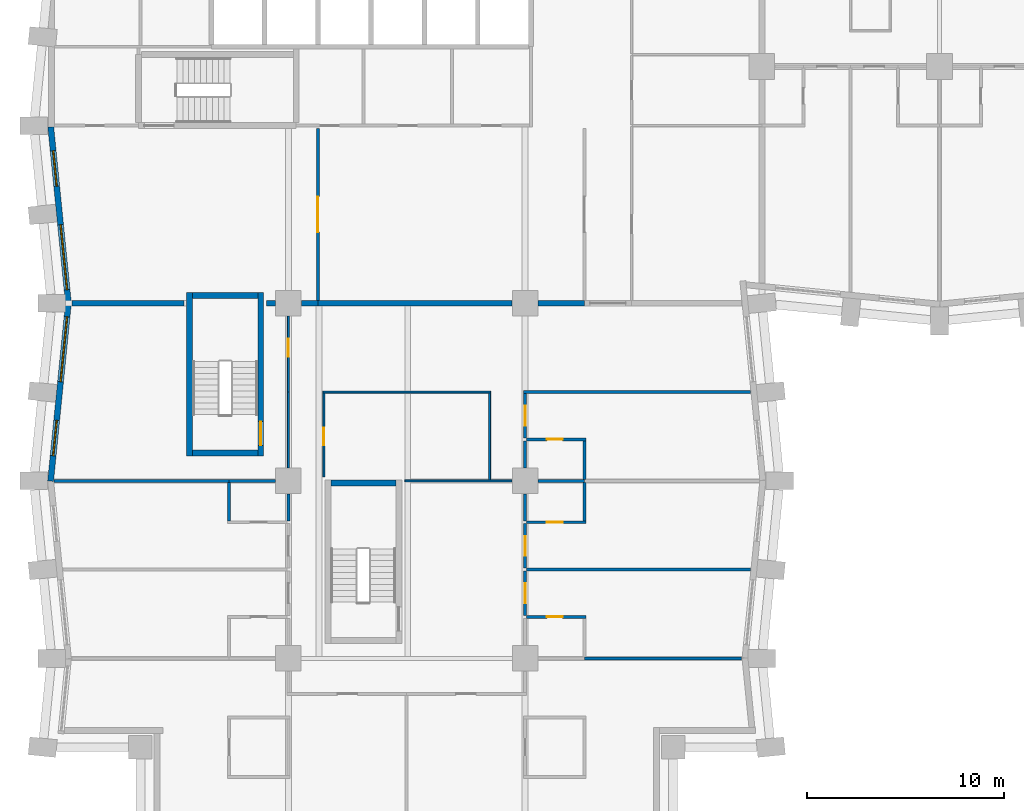
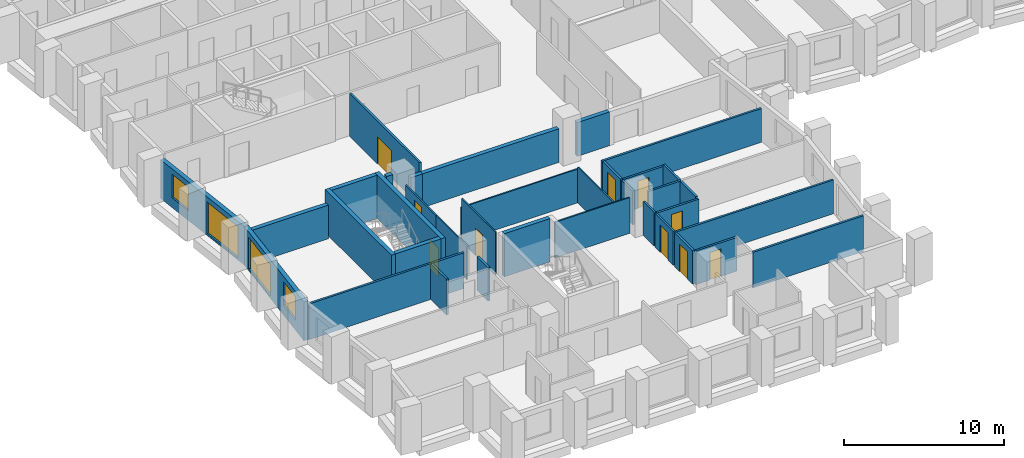
# One storey, part 4 of 13: 37 walls, 10 doors, 4 windows, 14 openings.
"""IFC4 building model written with IfcOpenShell, lengths in metres."""

from ifc_helpers import new_model, si_unit, direction, frame, frame_2d, origin, place, context, subcontext, project, spatial, rectangle, extrude, material, layer, layer_set, type_object, element, fill, save


model = new_model("IFC4")

# Units and contexts
model_context = context("Model", 3, precision=1e-05, world=origin(), true_north=direction((0.0, 1.0)))
body_context = subcontext(model_context, "Body", "Model", "MODEL_VIEW")
ifc_project = project(units=[si_unit("LENGTHUNIT", "METRE"), si_unit("AREAUNIT", "SQUARE_METRE"), si_unit("VOLUMEUNIT", "CUBIC_METRE"), si_unit("PLANEANGLEUNIT", "RADIAN"), si_unit("MASSUNIT", "GRAM", prefix="KILO")], contexts=[model_context])

# Site, building, storey
site_placement = place(None, origin())
site = spatial("IfcSite", under=ifc_project, at=site_placement, CompositionType="ELEMENT")
building_placement = place(site_placement, origin())
building = spatial("IfcBuilding", under=site, at=building_placement, Name="Brondeck Convention Tower", CompositionType="ELEMENT")
storey_placement = place(building_placement, frame((0.0, 0.0, 41.10009765625)))
storey = spatial("IfcBuildingStorey", under=building, at=storey_placement, Name="L07", CompositionType="ELEMENT", Elevation=41.10009765625)

# Walls
ifc_material_1 = material(Name="Concrete compartment wall C30/37", Category="concrete")
ifc_layer_1 = layer(ifc_material_1, 0.300048828125)
ifc_layer_set_1 = layer_set([ifc_layer_1], Name="Compartment wall 300")
wall_type_1 = type_object("IfcWallType", Name="Compartment wall 300", PredefinedType="PARTITIONING", material=ifc_layer_set_1)
wall_1_placement = place(storey_placement, frame((6.699951171875, 27.0, 0.0), z_axis=(0.0, 0.0, 1.0), x_axis=(-1.0, 0.0, 0.0)))
element("IfcWall", 1, at=wall_1_placement, inside=storey, type_object=wall_type_1, Name="FLR-L07-W051", PredefinedType="PARTITIONING", context=body_context, shape_type="SweptSolid", body=[
    extrude(rectangle(XDim=5.675048828125, YDim=0.300048828125, at=frame_2d((2.83740234375, 0.0))), origin(), (0.0, 0.0, 1.0), 2.579833984375),
])
wall_2_placement = place(storey_placement, frame((11.344970703125, 27.0, 0.0), z_axis=(0.0, 0.0, 1.0), x_axis=(-1.0, 0.0, 0.0)))
element("IfcWall", 2, at=wall_2_placement, inside=storey, type_object=wall_type_1, Name="FLR-L07-W052", PredefinedType="PARTITIONING", context=body_context, shape_type="SweptSolid", body=[
    extrude(rectangle(XDim=0.445068359375, YDim=0.300048828125, at=frame_2d((0.22265625, 0.0))), origin(), (0.0, 0.0, 1.0), 3.27978515625),
])
wall_3_placement = place(storey_placement, frame((13.5, 27.0, 0.0), z_axis=(0.0, 0.0, 1.0), x_axis=(-1.0, 0.0, 0.0)))
element("IfcWall", 3, at=wall_3_placement, inside=storey, type_object=wall_type_1, Name="FLR-L07-W053", PredefinedType="PARTITIONING", context=body_context, shape_type="SweptSolid", body=[
    extrude(rectangle(XDim=0.844970703125, YDim=0.300048828125, at=frame_2d((0.42236328125, 0.0))), origin(), (0.0, 0.0, 1.0), 2.579833984375),
])
wall_4_placement = place(storey_placement, frame((23.344970703125, 27.0, 0.0), z_axis=(0.0, 0.0, 1.0), x_axis=(-1.0, 0.0, 0.0)))
element("IfcWall", 4, at=wall_4_placement, inside=storey, type_object=wall_type_1, Name="FLR-L07-W054", PredefinedType="PARTITIONING", context=body_context, shape_type="SweptSolid", body=[
    extrude(rectangle(XDim=9.844970703125, YDim=0.300048828125, at=frame_2d((4.92236328125, 0.0))), origin(), (0.0, 0.0, 1.0), 2.579833984375),
])
wall_5_placement = place(storey_placement, frame((27.0, 27.0, 0.0), z_axis=(0.0, 0.0, 1.0), x_axis=(-1.0, 0.0, 0.0)))
element("IfcWall", 5, at=wall_5_placement, inside=storey, type_object=wall_type_1, Name="FLR-L07-W055", PredefinedType="PARTITIONING", context=body_context, shape_type="SweptSolid", body=[
    extrude(rectangle(XDim=2.344970703125, YDim=0.300048828125, at=frame_2d((1.17236328125, 0.0))), origin(), (0.0, 0.0, 1.0), 2.579833984375),
])

# Wall, openings, windows
ifc_material_2 = material(Name="Precast concrete C50/60 bronze finish", Category="concrete")
ifc_layer_2 = layer(ifc_material_2, 0.070068359375, Name="Bronze precast facing")
ifc_material_3 = material(Name="Mineral wool")
ifc_layer_3 = layer(ifc_material_3, 0.159912109375, Name="Insulation")
ifc_material_4 = material(Name="Concrete C35/45", Category="concrete")
ifc_layer_4 = layer(ifc_material_4, 0.070068359375, Name="Backing")
ifc_layer_set_2 = layer_set([ifc_layer_2, ifc_layer_3, ifc_layer_4], Name="External infill wall, precast concrete C50/60 bronze facing")
wall_type_2 = type_object("IfcWallType", Name="External infill wall, precast concrete C50/60 bronze facing", PredefinedType="SOLIDWALL", material=ifc_layer_set_2)
wall_6_placement = place(storey_placement, frame((0.855712890625, 26.985107421875, 0.0), z_axis=(0.0, 0.0, 1.0), x_axis=(-0.099503719021, 0.99503719021, 0.0)))
wall_6 = element("IfcWall", 6, at=wall_6_placement, inside=storey, type_object=wall_type_2, Name="ENV-EW-L07-P0-B-W-06", PredefinedType="SOLIDWALL", context=body_context, shape_type="SweptSolid", body=[
    extrude(rectangle(XDim=8.994873046875, YDim=0.300048828125, at=frame_2d((4.49755859375, 0.0))), origin(), (0.0, 0.0, 1.0), 2.949951171875),
])
opening_1_placement = place(wall_6_placement, frame((0.711181640625, 0.0, 0.14990234375)))
opening_1 = element("IfcOpeningElement", 7, at=opening_1_placement, cuts=wall_6, Name="Opening W9", PredefinedType="OPENING", context=body_context, shape_type="SweptSolid", body=[
    extrude(rectangle(XDim=3.300048828125, YDim=2.39990234375, at=frame_2d((1.64990234375, 1.199951171875))), frame((0.0, 0.159912109375, 0.0), z_axis=(0.0, -1.0, 0.0), x_axis=(1.0, 0.0, 0.0)), (0.0, 0.0, 1.0), 0.320068359375),
])
opening_2_placement = place(wall_6_placement, frame((5.983642578125, 0.0, 0.75)))
opening_2 = element("IfcOpeningElement", 8, at=opening_2_placement, cuts=wall_6, Name="Opening W10", PredefinedType="OPENING", context=body_context, shape_type="SweptSolid", body=[
    extrude(rectangle(XDim=1.800048828125, YDim=1.800048828125, at=frame_2d((0.89990234375, 0.89990234375))), frame((0.0, 0.159912109375, 0.0), z_axis=(0.0, -1.0, 0.0), x_axis=(1.0, 0.0, 0.0)), (0.0, 0.0, 1.0), 0.320068359375),
])
ifc_material_5 = material(Name="Bronze tinted double glazing", Category="glass")
window_type_1 = type_object("IfcWindowType", Name="Glazed flute window, bronze tinted", PartitioningType="SINGLE_PANEL", PredefinedType="WINDOW", material=ifc_material_5)
window_1_placement = place(opening_1_placement, origin())
window_1 = element("IfcWindow", 9, at=window_1_placement, inside=storey, type_object=window_type_1, Name="ENV-WN-L07-P0-B-W-07", OverallHeight=2.39990234375, OverallWidth=3.300048828125, PartitioningType="SINGLE_PANEL", PredefinedType="WINDOW", context=body_context, shape_type="SweptSolid", body=[
    extrude(rectangle(XDim=3.300048828125, YDim=2.39990234375, at=frame_2d((1.64990234375, 1.199951171875))), frame((0.0, 0.030029296875, 0.0), z_axis=(0.0, -1.0, 0.0), x_axis=(1.0, 0.0, 0.0)), (0.0, 0.0, 1.0), 0.06005859375),
])
fill(opening_1, window_1)
window_type_2 = type_object("IfcWindowType", Name="Punched window, bronze tinted", PartitioningType="SINGLE_PANEL", PredefinedType="WINDOW", material=ifc_material_5)
window_2_placement = place(opening_2_placement, origin())
window_2 = element("IfcWindow", 10, at=window_2_placement, inside=storey, type_object=window_type_2, Name="ENV-WN-L07-P0-B-W-06", OverallHeight=1.800048828125, OverallWidth=1.800048828125, PartitioningType="SINGLE_PANEL", PredefinedType="WINDOW", context=body_context, shape_type="SweptSolid", body=[
    extrude(rectangle(XDim=1.800048828125, YDim=1.800048828125, at=frame_2d((0.89990234375, 0.89990234375))), frame((0.0, 0.030029296875, 0.0), z_axis=(0.0, -1.0, 0.0), x_axis=(1.0, 0.0, 0.0)), (0.0, 0.0, 1.0), 0.06005859375),
])
fill(opening_2, window_2)

wall_7_placement = place(storey_placement, frame((-0.04736328125, 17.985107421875, 0.0), z_axis=(0.0, 0.0, 1.0), x_axis=(0.099522457379, 0.995035316196, 0.0)))
wall_7 = element("IfcWall", 11, at=wall_7_placement, inside=storey, type_object=wall_type_2, Name="ENV-EW-L07-P0-B-W-08", PredefinedType="SOLIDWALL", context=body_context, shape_type="SweptSolid", body=[
    extrude(rectangle(XDim=9.030029296875, YDim=0.300048828125, at=frame_2d((4.51513671875, 0.0))), origin(), (0.0, 0.0, 1.0), 2.949951171875),
])
opening_3_placement = place(wall_7_placement, frame((1.291259765625, 0.0, 0.75)))
opening_3 = element("IfcOpeningElement", 12, at=opening_3_placement, cuts=wall_7, Name="Opening W10", PredefinedType="OPENING", context=body_context, shape_type="SweptSolid", body=[
    extrude(rectangle(XDim=1.800048828125, YDim=1.800048828125, at=frame_2d((0.89990234375, 0.89990234375))), frame((0.0, 0.159912109375, 0.0), z_axis=(0.0, -1.0, 0.0), x_axis=(1.0, 0.0, 0.0)), (0.0, 0.0, 1.0), 0.320068359375),
])
opening_4_placement = place(wall_7_placement, frame((5.063720703125, 0.0, 0.14990234375)))
opening_4 = element("IfcOpeningElement", 13, at=opening_4_placement, cuts=wall_7, Name="Opening W9", PredefinedType="OPENING", context=body_context, shape_type="SweptSolid", body=[
    extrude(rectangle(XDim=3.300048828125, YDim=2.39990234375, at=frame_2d((1.64990234375, 1.199951171875))), frame((0.0, 0.159912109375, 0.0), z_axis=(0.0, -1.0, 0.0), x_axis=(1.0, 0.0, 0.0)), (0.0, 0.0, 1.0), 0.320068359375),
])
window_3_placement = place(opening_4_placement, origin())
window_3 = element("IfcWindow", 14, at=window_3_placement, inside=storey, type_object=window_type_1, Name="ENV-WN-L07-P0-B-W-08", OverallHeight=2.39990234375, OverallWidth=3.300048828125, PartitioningType="SINGLE_PANEL", PredefinedType="WINDOW", context=body_context, shape_type="SweptSolid", body=[
    extrude(rectangle(XDim=3.300048828125, YDim=2.39990234375, at=frame_2d((1.64990234375, 1.199951171875))), frame((0.0, 0.030029296875, 0.0), z_axis=(0.0, -1.0, 0.0), x_axis=(1.0, 0.0, 0.0)), (0.0, 0.0, 1.0), 0.06005859375),
])
fill(opening_4, window_3)
window_4_placement = place(opening_3_placement, origin())
window_4 = element("IfcWindow", 15, at=window_4_placement, inside=storey, type_object=window_type_2, Name="ENV-WN-L07-P0-B-W-09", OverallHeight=1.800048828125, OverallWidth=1.800048828125, PartitioningType="SINGLE_PANEL", PredefinedType="WINDOW", context=body_context, shape_type="SweptSolid", body=[
    extrude(rectangle(XDim=1.800048828125, YDim=1.800048828125, at=frame_2d((0.89990234375, 0.89990234375))), frame((0.0, 0.030029296875, 0.0), z_axis=(0.0, -1.0, 0.0), x_axis=(1.0, 0.0, 0.0)), (0.0, 0.0, 1.0), 0.06005859375),
])
fill(opening_3, window_4)

# Wall
ifc_material_6 = material(Name="Double gypsum board acoustic wall")
ifc_layer_5 = layer(ifc_material_6, 0.14990234375)
ifc_layer_set_3 = layer_set([ifc_layer_5], Name="Guest room party wall 150")
wall_type_3 = type_object("IfcWallType", Name="Guest room party wall 150", PredefinedType="PARTITIONING", material=ifc_layer_set_3)
wall_8_placement = place(storey_placement, frame((34.97509765625, 9.0, 0.0), z_axis=(0.0, 0.0, 1.0), x_axis=(-1.0, 0.0, 0.0)))
element("IfcWall", 16, at=wall_8_placement, inside=storey, type_object=wall_type_3, Name="FLR-L07-W017", PredefinedType="PARTITIONING", context=body_context, shape_type="SweptSolid", body=[
    extrude(rectangle(XDim=7.97509765625, YDim=0.14990234375, at=frame_2d((3.987548828125, 0.0))), origin(), (0.0, 0.0, 1.0), 2.72998046875),
])

# Wall, opening, door
wall_9_placement = place(storey_placement, frame((27.074951171875, 11.10009765625, 0.0), z_axis=(0.0, 0.0, 1.0), x_axis=(-1.0, 0.0, 0.0)))
wall_9 = element("IfcWall", 17, at=wall_9_placement, inside=storey, type_object=wall_type_3, Name="FLR-L07-W023", PredefinedType="PARTITIONING", context=body_context, shape_type="SweptSolid", body=[
    extrude(rectangle(XDim=3.0, YDim=0.14990234375, at=frame_2d((1.5, 0.0))), origin(), (0.0, 0.0, 1.0), 2.579833984375),
])
opening_5_placement = place(wall_9_placement, frame((1.175048828125, 0.0, 0.0)))
opening_5 = element("IfcOpeningElement", 18, at=opening_5_placement, cuts=wall_9, Name="Opening H1-040", PredefinedType="OPENING", context=body_context, shape_type="SweptSolid", body=[
    extrude(rectangle(XDim=0.800048828125, YDim=2.10009765625, at=frame_2d((0.39990234375, 1.050048828125))), frame((0.0, 0.0849609375, 0.0), z_axis=(0.0, -1.0, 0.0), x_axis=(1.0, 0.0, 0.0)), (0.0, 0.0, 1.0), 0.169921875),
])
ifc_material_7 = material(Name="Solid timber door leaf", Category="wood")
door_type_1 = type_object("IfcDoorType", Name="En-suite door 800", OperationType="NOTDEFINED", PredefinedType="DOOR", material=ifc_material_7)
door_1_placement = place(opening_5_placement, origin())
door_1 = element("IfcDoor", 19, at=door_1_placement, inside=storey, type_object=door_type_1, Name="Door H1-040", OperationType="SINGLE_SWING_LEFT", OverallHeight=2.10009765625, OverallWidth=0.800048828125, PredefinedType="DOOR", context=body_context, shape_type="SweptSolid", body=[
    extrude(rectangle(XDim=0.800048828125, YDim=2.10009765625, at=frame_2d((0.39990234375, 1.050048828125))), frame((0.0, 0.02490234375, 0.0), z_axis=(0.0, -1.0, 0.0), x_axis=(1.0, 0.0, 0.0)), (0.0, 0.0, 1.0), 0.050048828125),
])
fill(opening_5, door_1)

wall_10_placement = place(storey_placement, frame((24.0, 13.425048828125, 0.0), z_axis=(0.0, 0.0, 1.0), x_axis=(0.0, -1.0, 0.0)))
wall_10 = element("IfcWall", 20, at=wall_10_placement, inside=storey, type_object=wall_type_3, Name="FLR-L07-W025", PredefinedType="PARTITIONING", context=body_context, shape_type="SweptSolid", body=[
    extrude(rectangle(XDim=2.25, YDim=0.14990234375, at=frame_2d((1.125, 0.0))), origin(), (0.0, 0.0, 1.0), 2.579833984375),
])
opening_6_placement = place(wall_10_placement, frame((0.625, 0.0, 0.0)))
opening_6 = element("IfcOpeningElement", 21, at=opening_6_placement, cuts=wall_10, Name="Opening H1-039", PredefinedType="OPENING", context=body_context, shape_type="SweptSolid", body=[
    extrude(rectangle(XDim=1.0, YDim=2.10009765625, at=frame_2d((0.5, 1.050048828125))), frame((0.0, 0.0849609375, 0.0), z_axis=(0.0, -1.0, 0.0), x_axis=(1.0, 0.0, 0.0)), (0.0, 0.0, 1.0), 0.169921875),
])
ifc_material_8 = material(Name="Solid timber fire door leaf", Category="wood")
door_type_2 = type_object("IfcDoorType", Name="Guest room door 1000", OperationType="NOTDEFINED", PredefinedType="DOOR", material=ifc_material_8)
door_2_placement = place(opening_6_placement, origin())
door_2 = element("IfcDoor", 22, at=door_2_placement, inside=storey, type_object=door_type_2, Name="Door H1-039", OperationType="SINGLE_SWING_LEFT", OverallHeight=2.10009765625, OverallWidth=1.0, PredefinedType="DOOR", context=body_context, shape_type="SweptSolid", body=[
    extrude(rectangle(XDim=1.0, YDim=2.10009765625, at=frame_2d((0.5, 1.050048828125))), frame((0.0, 0.02490234375, 0.0), z_axis=(0.0, -1.0, 0.0), x_axis=(1.0, 0.0, 0.0)), (0.0, 0.0, 1.0), 0.050048828125),
])
fill(opening_6, door_2)

# Wall
wall_11_placement = place(storey_placement, frame((35.425048828125, 13.5, 0.0), z_axis=(0.0, 0.0, 1.0), x_axis=(-1.0, 0.0, 0.0)))
element("IfcWall", 23, at=wall_11_placement, inside=storey, type_object=wall_type_3, Name="FLR-L07-W027", PredefinedType="PARTITIONING", context=body_context, shape_type="SweptSolid", body=[
    extrude(rectangle(XDim=11.35009765625, YDim=0.14990234375, at=frame_2d((5.675048828125, 0.0))), origin(), (0.0, 0.0, 1.0), 2.579833984375),
])

# Wall, opening, door
wall_12_placement = place(storey_placement, frame((24.0, 15.824951171875, 0.0), z_axis=(0.0, 0.0, 1.0), x_axis=(0.0, -1.0, 0.0)))
wall_12 = element("IfcWall", 24, at=wall_12_placement, inside=storey, type_object=wall_type_3, Name="FLR-L07-W029", PredefinedType="PARTITIONING", context=body_context, shape_type="SweptSolid", body=[
    extrude(rectangle(XDim=2.25, YDim=0.14990234375, at=frame_2d((1.125, 0.0))), origin(), (0.0, 0.0, 1.0), 2.579833984375),
])
opening_7_placement = place(wall_12_placement, frame((0.625, 0.0, 0.0)))
opening_7 = element("IfcOpeningElement", 25, at=opening_7_placement, cuts=wall_12, Name="Opening H1-037", PredefinedType="OPENING", context=body_context, shape_type="SweptSolid", body=[
    extrude(rectangle(XDim=1.0, YDim=2.10009765625, at=frame_2d((0.5, 1.050048828125))), frame((0.0, 0.0849609375, 0.0), z_axis=(0.0, -1.0, 0.0), x_axis=(1.0, 0.0, 0.0)), (0.0, 0.0, 1.0), 0.169921875),
])
door_3_placement = place(opening_7_placement, origin())
door_3 = element("IfcDoor", 26, at=door_3_placement, inside=storey, type_object=door_type_2, Name="Door H1-037", OperationType="SINGLE_SWING_LEFT", OverallHeight=2.10009765625, OverallWidth=1.0, PredefinedType="DOOR", context=body_context, shape_type="SweptSolid", body=[
    extrude(rectangle(XDim=1.0, YDim=2.10009765625, at=frame_2d((0.5, 1.050048828125))), frame((0.0, 0.02490234375, 0.0), z_axis=(0.0, -1.0, 0.0), x_axis=(1.0, 0.0, 0.0)), (0.0, 0.0, 1.0), 0.050048828125),
])
fill(opening_7, door_3)

wall_13_placement = place(storey_placement, frame((24.074951171875, 15.89990234375, 0.0), z_axis=(0.0, 0.0, 1.0), x_axis=(1.0, 0.0, 0.0)))
wall_13 = element("IfcWall", 27, at=wall_13_placement, inside=storey, type_object=wall_type_3, Name="FLR-L07-W031", PredefinedType="PARTITIONING", context=body_context, shape_type="SweptSolid", body=[
    extrude(rectangle(XDim=3.0, YDim=0.14990234375, at=frame_2d((1.5, 0.0))), origin(), (0.0, 0.0, 1.0), 2.579833984375),
])
opening_8_placement = place(wall_13_placement, frame((1.02490234375, 0.0, 0.0)))
opening_8 = element("IfcOpeningElement", 28, at=opening_8_placement, cuts=wall_13, Name="Opening H1-038", PredefinedType="OPENING", context=body_context, shape_type="SweptSolid", body=[
    extrude(rectangle(XDim=0.800048828125, YDim=2.10009765625, at=frame_2d((0.39990234375, 1.050048828125))), frame((0.0, 0.0849609375, 0.0), z_axis=(0.0, -1.0, 0.0), x_axis=(1.0, 0.0, 0.0)), (0.0, 0.0, 1.0), 0.169921875),
])
door_4_placement = place(opening_8_placement, origin())
door_4 = element("IfcDoor", 29, at=door_4_placement, inside=storey, type_object=door_type_1, Name="Door H1-038", OperationType="SINGLE_SWING_LEFT", OverallHeight=2.10009765625, OverallWidth=0.800048828125, PredefinedType="DOOR", context=body_context, shape_type="SweptSolid", body=[
    extrude(rectangle(XDim=0.800048828125, YDim=2.10009765625, at=frame_2d((0.39990234375, 1.050048828125))), frame((0.0, 0.02490234375, 0.0), z_axis=(0.0, -1.0, 0.0), x_axis=(1.0, 0.0, 0.0)), (0.0, 0.0, 1.0), 0.050048828125),
])
fill(opening_8, door_4)

# Walls
wall_14_placement = place(storey_placement, frame((12.0, 15.97509765625, 0.0), z_axis=(0.0, 0.0, 1.0), x_axis=(0.0, 1.0, 0.0)))
element("IfcWall", 30, at=wall_14_placement, inside=storey, type_object=wall_type_3, Name="FLR-L07-W032", PredefinedType="PARTITIONING", context=body_context, shape_type="SweptSolid", body=[
    extrude(rectangle(XDim=1.369873046875, YDim=0.14990234375, at=frame_2d((0.68505859375, 0.0))), origin(), (0.0, 0.0, 1.0), 2.579833984375),
])
wall_15_placement = place(storey_placement, frame((27.0, 15.97509765625, 0.0), z_axis=(0.0, 0.0, 1.0), x_axis=(0.0, 1.0, 0.0)))
element("IfcWall", 31, at=wall_15_placement, inside=storey, type_object=wall_type_3, Name="FLR-L07-W033", PredefinedType="PARTITIONING", context=body_context, shape_type="SweptSolid", body=[
    extrude(rectangle(XDim=1.949951171875, YDim=0.14990234375, at=frame_2d((0.97509765625, 0.0))), origin(), (0.0, 0.0, 1.0), 2.72998046875),
])
wall_16_placement = place(storey_placement, frame((24.0, 17.344970703125, 0.0), z_axis=(0.0, 0.0, 1.0), x_axis=(0.0, -1.0, 0.0)))
element("IfcWall", 32, at=wall_16_placement, inside=storey, type_object=wall_type_3, Name="FLR-L07-W034", PredefinedType="PARTITIONING", context=body_context, shape_type="SweptSolid", body=[
    extrude(rectangle(XDim=1.369873046875, YDim=0.14990234375, at=frame_2d((0.68505859375, 0.0))), origin(), (0.0, 0.0, 1.0), 2.579833984375),
])
wall_17_placement = place(storey_placement, frame((9.0, 17.925048828125, 0.0), z_axis=(0.0, 0.0, 1.0), x_axis=(0.0, -1.0, 0.0)))
element("IfcWall", 33, at=wall_17_placement, inside=storey, type_object=wall_type_3, Name="FLR-L07-W035", PredefinedType="PARTITIONING", context=body_context, shape_type="SweptSolid", body=[
    extrude(rectangle(XDim=1.949951171875, YDim=0.14990234375, at=frame_2d((0.97509765625, 0.0))), origin(), (0.0, 0.0, 1.0), 2.72998046875),
])
wall_18_placement = place(storey_placement, frame((9.0, 18.0, 0.0), z_axis=(0.0, 0.0, 1.0), x_axis=(-1.0, 0.0, 0.0)))
element("IfcWall", 34, at=wall_18_placement, inside=storey, type_object=wall_type_3, Name="FLR-L07-W036", PredefinedType="PARTITIONING", context=body_context, shape_type="SweptSolid", body=[
    extrude(rectangle(XDim=8.875, YDim=0.14990234375, at=frame_2d((4.4375, 0.0))), origin(), (0.0, 0.0, 1.0), 2.72998046875),
])
for number, where, z_axis, x_axis, name in (
    (35, (11.344970703125, 18.0, 0.0), (0.0, 0.0, 1.0), (-1.0, 0.0, 0.0), "FLR-L07-W037"),
    (36, (27.0, 18.0, 0.0), (0.0, 0.0, 1.0), (-1.0, 0.0, 0.0), "FLR-L07-W039"),
):
    element("IfcWall", number, at=place(storey_placement, frame(where, z_axis=z_axis, x_axis=x_axis)), inside=storey, type_object=wall_type_3, Name=name, PredefinedType="PARTITIONING", context=body_context, shape_type="SweptSolid", body=[
        extrude(rectangle(XDim=2.344970703125, YDim=0.14990234375, at=frame_2d((1.17236328125, 0.0))), origin(), (0.0, 0.0, 1.0), 2.72998046875),
    ])
wall_19_placement = place(storey_placement, frame((27.0, 18.074951171875, 0.0), z_axis=(0.0, 0.0, 1.0), x_axis=(0.0, 1.0, 0.0)))
element("IfcWall", 37, at=wall_19_placement, inside=storey, type_object=wall_type_3, Name="FLR-L07-W042", PredefinedType="PARTITIONING", context=body_context, shape_type="SweptSolid", body=[
    extrude(rectangle(XDim=1.949951171875, YDim=0.14990234375, at=frame_2d((0.97509765625, 0.0))), origin(), (0.0, 0.0, 1.0), 2.72998046875),
])
wall_20_placement = place(storey_placement, frame((24.0, 20.02490234375, 0.0), z_axis=(0.0, 0.0, 1.0), x_axis=(0.0, -1.0, 0.0)))
element("IfcWall", 38, at=wall_20_placement, inside=storey, type_object=wall_type_3, Name="FLR-L07-W043", PredefinedType="PARTITIONING", context=body_context, shape_type="SweptSolid", body=[
    extrude(rectangle(XDim=1.369873046875, YDim=0.14990234375, at=frame_2d((0.68505859375, 0.0))), origin(), (0.0, 0.0, 1.0), 2.579833984375),
])

# Wall, opening, door
wall_21_placement = place(storey_placement, frame((27.074951171875, 20.10009765625, 0.0), z_axis=(0.0, 0.0, 1.0), x_axis=(-1.0, 0.0, 0.0)))
wall_21 = element("IfcWall", 39, at=wall_21_placement, inside=storey, type_object=wall_type_3, Name="FLR-L07-W044", PredefinedType="PARTITIONING", context=body_context, shape_type="SweptSolid", body=[
    extrude(rectangle(XDim=3.0, YDim=0.14990234375, at=frame_2d((1.5, 0.0))), origin(), (0.0, 0.0, 1.0), 2.579833984375),
])
opening_9_placement = place(wall_21_placement, frame((1.175048828125, 0.0, 0.0)))
opening_9 = element("IfcOpeningElement", 40, at=opening_9_placement, cuts=wall_21, Name="Opening H1-036", PredefinedType="OPENING", context=body_context, shape_type="SweptSolid", body=[
    extrude(rectangle(XDim=0.800048828125, YDim=2.10009765625, at=frame_2d((0.39990234375, 1.050048828125))), frame((0.0, 0.0849609375, 0.0), z_axis=(0.0, -1.0, 0.0), x_axis=(1.0, 0.0, 0.0)), (0.0, 0.0, 1.0), 0.169921875),
])
door_5_placement = place(opening_9_placement, origin())
door_5 = element("IfcDoor", 41, at=door_5_placement, inside=storey, type_object=door_type_1, Name="Door H1-036", OperationType="SINGLE_SWING_LEFT", OverallHeight=2.10009765625, OverallWidth=0.800048828125, PredefinedType="DOOR", context=body_context, shape_type="SweptSolid", body=[
    extrude(rectangle(XDim=0.800048828125, YDim=2.10009765625, at=frame_2d((0.39990234375, 1.050048828125))), frame((0.0, 0.02490234375, 0.0), z_axis=(0.0, -1.0, 0.0), x_axis=(1.0, 0.0, 0.0)), (0.0, 0.0, 1.0), 0.050048828125),
])
fill(opening_9, door_5)

wall_22_placement = place(storey_placement, frame((24.0, 22.425048828125, 0.0), z_axis=(0.0, 0.0, 1.0), x_axis=(0.0, -1.0, 0.0)))
wall_22 = element("IfcWall", 42, at=wall_22_placement, inside=storey, type_object=wall_type_3, Name="FLR-L07-W045", PredefinedType="PARTITIONING", context=body_context, shape_type="SweptSolid", body=[
    extrude(rectangle(XDim=2.25, YDim=0.14990234375, at=frame_2d((1.125, 0.0))), origin(), (0.0, 0.0, 1.0), 2.579833984375),
])
opening_10_placement = place(wall_22_placement, frame((0.625, 0.0, 0.0)))
opening_10 = element("IfcOpeningElement", 43, at=opening_10_placement, cuts=wall_22, Name="Opening H1-035", PredefinedType="OPENING", context=body_context, shape_type="SweptSolid", body=[
    extrude(rectangle(XDim=1.0, YDim=2.10009765625, at=frame_2d((0.5, 1.050048828125))), frame((0.0, 0.0849609375, 0.0), z_axis=(0.0, -1.0, 0.0), x_axis=(1.0, 0.0, 0.0)), (0.0, 0.0, 1.0), 0.169921875),
])
door_6_placement = place(opening_10_placement, origin())
door_6 = element("IfcDoor", 44, at=door_6_placement, inside=storey, type_object=door_type_2, Name="Door H1-035", OperationType="SINGLE_SWING_LEFT", OverallHeight=2.10009765625, OverallWidth=1.0, PredefinedType="DOOR", context=body_context, shape_type="SweptSolid", body=[
    extrude(rectangle(XDim=1.0, YDim=2.10009765625, at=frame_2d((0.5, 1.050048828125))), frame((0.0, 0.02490234375, 0.0), z_axis=(0.0, -1.0, 0.0), x_axis=(1.0, 0.0, 0.0)), (0.0, 0.0, 1.0), 0.050048828125),
])
fill(opening_10, door_6)

# Wall
wall_23_placement = place(storey_placement, frame((35.425048828125, 22.5, 0.0), z_axis=(0.0, 0.0, 1.0), x_axis=(-1.0, 0.0, 0.0)))
element("IfcWall", 45, at=wall_23_placement, inside=storey, type_object=wall_type_3, Name="FLR-L07-W050", PredefinedType="PARTITIONING", context=body_context, shape_type="SweptSolid", body=[
    extrude(rectangle(XDim=11.5, YDim=0.14990234375, at=frame_2d((5.75, 0.0))), origin(), (0.0, 0.0, 1.0), 2.579833984375),
])

# Wall, opening, door
wall_24_placement = place(storey_placement, frame((13.5, 27.14990234375, 0.0), z_axis=(0.0, 0.0, 1.0), x_axis=(0.0, 1.0, 0.0)))
wall_24 = element("IfcWall", 46, at=wall_24_placement, inside=storey, type_object=wall_type_3, Name="FLR-L07-W059", PredefinedType="PARTITIONING", context=body_context, shape_type="SweptSolid", body=[
    extrude(rectangle(XDim=8.7001953125, YDim=0.14990234375, at=frame_2d((4.35009765625, 0.0))), origin(), (0.0, 0.0, 1.0), 3.27978515625),
])
opening_11_placement = place(wall_24_placement, frame((3.449951171875, 0.0, 0.0)))
opening_11 = element("IfcOpeningElement", 47, at=opening_11_placement, cuts=wall_24, Name="Opening H1-053", PredefinedType="OPENING", context=body_context, shape_type="SweptSolid", body=[
    extrude(rectangle(XDim=1.800048828125, YDim=2.10009765625, at=frame_2d((0.89990234375, 1.050048828125))), frame((0.0, 0.0849609375, 0.0), z_axis=(0.0, -1.0, 0.0), x_axis=(1.0, 0.0, 0.0)), (0.0, 0.0, 1.0), 0.169921875),
])
ifc_material_9 = material(Name="Glazed timber double door", Category="wood")
door_type_3 = type_object("IfcDoorType", Name="Double door 1800", OperationType="DOUBLE_DOOR_SINGLE_SWING", PredefinedType="DOOR", material=ifc_material_9)
door_7_placement = place(opening_11_placement, origin())
door_7 = element("IfcDoor", 48, at=door_7_placement, inside=storey, type_object=door_type_3, Name="Door H1-053", OperationType="DOUBLE_DOOR_SINGLE_SWING", OverallHeight=2.10009765625, OverallWidth=1.800048828125, PredefinedType="DOOR", context=body_context, shape_type="SweptSolid", body=[
    extrude(rectangle(XDim=1.800048828125, YDim=2.10009765625, at=frame_2d((0.89990234375, 1.050048828125))), frame((0.0, 0.02490234375, 0.0), z_axis=(0.0, -1.0, 0.0), x_axis=(1.0, 0.0, 0.0)), (0.0, 0.0, 1.0), 0.050048828125),
])
fill(opening_11, door_7)

# Walls
ifc_material_10 = material(Name="Gypsum board partition on steel studs", Category="steel")
ifc_layer_6 = layer(ifc_material_10, 0.10009765625)
ifc_layer_set_4 = layer_set([ifc_layer_6], Name="Room partition 100")
wall_type_4 = type_object("IfcWallType", Name="Room partition 100", PredefinedType="PARTITIONING", material=ifc_layer_set_4)
wall_25_placement = place(storey_placement, frame((23.330078125, 18.0, 0.0), z_axis=(0.0, 0.0, 1.0), x_axis=(-1.0, 0.0, 0.0)))
element("IfcWall", 49, at=wall_25_placement, inside=storey, type_object=wall_type_4, Name="FLR-L07-W038", PredefinedType="PARTITIONING", context=body_context, shape_type="SweptSolid", body=[
    extrude(rectangle(XDim=5.43017578125, YDim=0.10009765625, at=frame_2d((2.715087890625, 0.0))), origin(), (0.0, 0.0, 1.0), 2.72998046875),
])
wall_26_placement = place(storey_placement, frame((22.199951171875, 18.050048828125, 0.0), z_axis=(0.0, 0.0, 1.0), x_axis=(0.0, 1.0, 0.0)))
element("IfcWall", 50, at=wall_26_placement, inside=storey, type_object=wall_type_4, Name="FLR-L07-W041", PredefinedType="PARTITIONING", context=body_context, shape_type="SweptSolid", body=[
    extrude(rectangle(XDim=4.39990234375, YDim=0.10009765625, at=frame_2d((2.199951171875, 0.0))), origin(), (0.0, 0.0, 1.0), 2.72998046875),
])

# Wall, opening, door
wall_27_placement = place(storey_placement, frame((13.800048828125, 22.449951171875, 0.0), z_axis=(0.0, 0.0, 1.0), x_axis=(0.0, -1.0, 0.0)))
wall_27 = element("IfcWall", 51, at=wall_27_placement, inside=storey, type_object=wall_type_4, Name="FLR-L07-W046", PredefinedType="PARTITIONING", context=body_context, shape_type="SweptSolid", body=[
    extrude(rectangle(XDim=4.25, YDim=0.10009765625, at=frame_2d((2.125, 0.0))), origin(), (0.0, 0.0, 1.0), 3.27978515625),
])
opening_12_placement = place(wall_27_placement, frame((1.75, 0.0, 0.0)))
opening_12 = element("IfcOpeningElement", 52, at=opening_12_placement, cuts=wall_27, Name="Opening H1-041", PredefinedType="OPENING", context=body_context, shape_type="SweptSolid", body=[
    extrude(rectangle(XDim=0.89990234375, YDim=2.10009765625, at=frame_2d((0.449951171875, 1.050048828125))), frame((0.0, 0.06005859375, 0.0), z_axis=(0.0, -1.0, 0.0), x_axis=(1.0, 0.0, 0.0)), (0.0, 0.0, 1.0), 0.1201171875),
])
door_type_4 = type_object("IfcDoorType", Name="Single door 900", OperationType="NOTDEFINED", PredefinedType="DOOR", material=ifc_material_7)
door_8_placement = place(opening_12_placement, origin())
door_8 = element("IfcDoor", 53, at=door_8_placement, inside=storey, type_object=door_type_4, Name="Door H1-041", OperationType="SINGLE_SWING_LEFT", OverallHeight=2.10009765625, OverallWidth=0.89990234375, PredefinedType="DOOR", context=body_context, shape_type="SweptSolid", body=[
    extrude(rectangle(XDim=0.89990234375, YDim=2.10009765625, at=frame_2d((0.449951171875, 1.050048828125))), frame((0.0, 0.02490234375, 0.0), z_axis=(0.0, -1.0, 0.0), x_axis=(1.0, 0.0, 0.0)), (0.0, 0.0, 1.0), 0.050048828125),
])
fill(opening_12, door_8)

# Wall
wall_28_placement = place(storey_placement, frame((12.0, 22.5, 0.0), z_axis=(0.0, 0.0, 1.0), x_axis=(0.0, -1.0, 0.0)))
element("IfcWall", 54, at=wall_28_placement, inside=storey, type_object=wall_type_4, Name="FLR-L07-W047", PredefinedType="PARTITIONING", context=body_context, shape_type="SweptSolid", body=[
    extrude(rectangle(XDim=3.844970703125, YDim=0.10009765625, at=frame_2d((1.92236328125, 0.0))), origin(), (0.0, 0.0, 1.0), 2.579833984375),
])

# Wall, opening, door
wall_29_placement = place(storey_placement, frame((12.0, 26.344970703125, 0.0), z_axis=(0.0, 0.0, 1.0), x_axis=(0.0, -1.0, 0.0)))
wall_29 = element("IfcWall", 55, at=wall_29_placement, inside=storey, type_object=wall_type_4, Name="FLR-L07-W048", PredefinedType="PARTITIONING", context=body_context, shape_type="SweptSolid", body=[
    extrude(rectangle(XDim=3.844970703125, YDim=0.10009765625, at=frame_2d((1.92236328125, 0.0))), origin(), (0.0, 0.0, 1.0), 2.579833984375),
])
opening_13_placement = place(wall_29_placement, frame((1.14501953125, 0.0, 0.0)))
opening_13 = element("IfcOpeningElement", 56, at=opening_13_placement, cuts=wall_29, Name="Opening H1-030", PredefinedType="OPENING", context=body_context, shape_type="SweptSolid", body=[
    extrude(rectangle(XDim=0.89990234375, YDim=2.10009765625, at=frame_2d((0.449951171875, 1.050048828125))), frame((0.0, 0.06005859375, 0.0), z_axis=(0.0, -1.0, 0.0), x_axis=(1.0, 0.0, 0.0)), (0.0, 0.0, 1.0), 0.1201171875),
])
door_9_placement = place(opening_13_placement, origin())
door_9 = element("IfcDoor", 57, at=door_9_placement, inside=storey, type_object=door_type_4, Name="Door H1-030", OperationType="SINGLE_SWING_LEFT", OverallHeight=2.10009765625, OverallWidth=0.89990234375, PredefinedType="DOOR", context=body_context, shape_type="SweptSolid", body=[
    extrude(rectangle(XDim=0.89990234375, YDim=2.10009765625, at=frame_2d((0.449951171875, 1.050048828125))), frame((0.0, 0.02490234375, 0.0), z_axis=(0.0, -1.0, 0.0), x_axis=(1.0, 0.0, 0.0)), (0.0, 0.0, 1.0), 0.050048828125),
])
fill(opening_13, door_9)

# Walls
wall_30_placement = place(storey_placement, frame((22.25, 22.5, 0.0), z_axis=(0.0, 0.0, 1.0), x_axis=(-1.0, 0.0, 0.0)))
element("IfcWall", 58, at=wall_30_placement, inside=storey, type_object=wall_type_4, Name="FLR-L07-W049", PredefinedType="PARTITIONING", context=body_context, shape_type="SweptSolid", body=[
    extrude(rectangle(XDim=8.5, YDim=0.10009765625, at=frame_2d((4.25, 0.0))), origin(), (0.0, 0.0, 1.0), 2.579833984375),
])
ifc_material_11 = material(Name="Concrete C80/95", Category="concrete")
ifc_layer_7 = layer(ifc_material_11, 0.300048828125)
ifc_layer_set_5 = layer_set([ifc_layer_7], Name="Stair enclosure wall 300 Concrete C80/95")
wall_type_5 = type_object("IfcWallType", Name="Stair enclosure wall 300 Concrete C80/95", PredefinedType="SHEAR", material=ifc_layer_set_5)
for number, where, z_axis, x_axis, name in (
    (59, (14.14990234375, 17.89990234375, 0.0), (0.0, 0.0, 1.0), (1.0, 0.0, 0.0), "L07 core wall"),
    (60, (7.14990234375, 19.39990234375, 0.0), (0.0, 0.0, 1.0), (1.0, 0.0, 0.0), "L07 core wall"),
    (61, (7.14990234375, 27.39990234375, 0.0), (0.0, 0.0, 1.0), (1.0, 0.0, 0.0), "L07 core wall"),
):
    element("IfcWall", number, at=place(storey_placement, frame(where, z_axis=z_axis, x_axis=x_axis)), inside=storey, type_object=wall_type_5, Name=name, PredefinedType="SHEAR", context=body_context, shape_type="SweptSolid", body=[
        extrude(rectangle(XDim=3.300048828125, YDim=0.300048828125, at=frame_2d((1.64990234375, 0.0))), origin(), (0.0, 0.0, 1.0), 3.2998046875),
    ])
wall_31_placement = place(storey_placement, frame((7.0, 19.25, 0.0), z_axis=(0.0, 0.0, 1.0), x_axis=(0.0, 1.0, 0.0)))
element("IfcWall", 62, at=wall_31_placement, inside=storey, type_object=wall_type_5, Name="L07 core wall", PredefinedType="SHEAR", context=body_context, shape_type="SweptSolid", body=[
    extrude(rectangle(XDim=8.300048828125, YDim=0.300048828125, at=frame_2d((4.14990234375, 0.0))), origin(), (0.0, 0.0, 1.0), 3.2998046875),
])

# Wall, opening, door
wall_32_placement = place(storey_placement, frame((10.60009765625, 19.25, 0.0), z_axis=(0.0, 0.0, 1.0), x_axis=(0.0, 1.0, 0.0)))
wall_32 = element("IfcWall", 63, at=wall_32_placement, inside=storey, type_object=wall_type_5, Name="L07 core wall", PredefinedType="SHEAR", context=body_context, shape_type="SweptSolid", body=[
    extrude(rectangle(XDim=8.300048828125, YDim=0.300048828125, at=frame_2d((4.14990234375, 0.0))), origin(), (0.0, 0.0, 1.0), 3.2998046875),
])
opening_14_placement = place(wall_32_placement, frame((0.550048828125, 0.0, 0.0)))
opening_14 = element("IfcOpeningElement", 64, at=opening_14_placement, cuts=wall_32, Name="Opening C08-19", PredefinedType="OPENING", context=body_context, shape_type="SweptSolid", body=[
    extrude(rectangle(XDim=1.199951171875, YDim=2.199951171875, at=frame_2d((0.60009765625, 1.10009765625))), frame((0.0, 0.159912109375, 0.0), z_axis=(0.0, -1.0, 0.0), x_axis=(1.0, 0.0, 0.0)), (0.0, 0.0, 1.0), 0.320068359375),
])
ifc_material_12 = material(Name="Steel fire door", Category="steel")
door_type_5 = type_object("IfcDoorType", Name="Stair door 1200x2200 EI 90", OperationType="NOTDEFINED", PredefinedType="DOOR", material=ifc_material_12)
door_10_placement = place(opening_14_placement, origin())
door_10 = element("IfcDoor", 65, at=door_10_placement, inside=storey, type_object=door_type_5, Name="L07 Stair door ST-BE", OperationType="SINGLE_SWING_RIGHT", OverallHeight=2.199951171875, OverallWidth=1.199951171875, PredefinedType="DOOR", context=body_context, shape_type="SweptSolid", body=[
    extrude(rectangle(XDim=1.199951171875, YDim=2.199951171875, at=frame_2d((0.60009765625, 1.10009765625))), frame((0.0, 0.02490234375, 0.0), z_axis=(0.0, -1.0, 0.0), x_axis=(1.0, 0.0, 0.0)), (0.0, 0.0, 1.0), 0.050048828125),
])
fill(opening_14, door_10)

save(model, "model.ifc")
